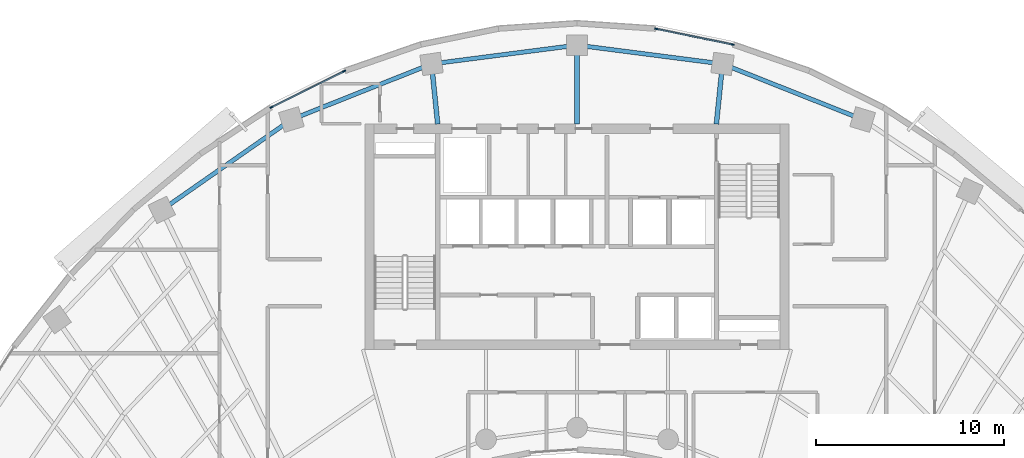
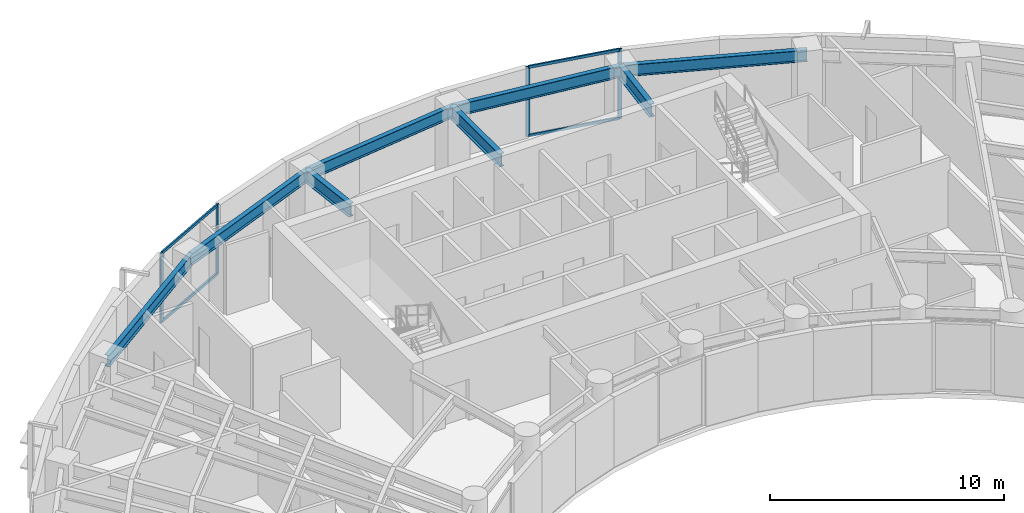
# One storey, part 5 of 13: 8 beams, 8 members, 2 elements without a shape of their own.
"""IFC4 building model written with IfcOpenShell, lengths in metres."""

from ifc_helpers import new_model, si_unit, direction, frame, origin, origin_2d, place, context, subcontext, project, spatial, rectangle, i_section, extrude, source, transform, mapped, material, layer, layer_set, material_profile, profile_set, type_object, element, aggregate, save


model = new_model("IFC4")

# Units and contexts
model_context = context("Model", 3, precision=1e-05, world=origin(), true_north=direction((0.0, 1.0)))
body_context = subcontext(model_context, "Body", "Model", "MODEL_VIEW")
ifc_project = project(units=[si_unit("LENGTHUNIT", "METRE"), si_unit("AREAUNIT", "SQUARE_METRE"), si_unit("VOLUMEUNIT", "CUBIC_METRE"), si_unit("PLANEANGLEUNIT", "RADIAN"), si_unit("MASSUNIT", "GRAM", prefix="KILO")], contexts=[model_context])

# Site, building, storey
site_placement = place(None, origin())
site = spatial("IfcSite", under=ifc_project, at=site_placement, CompositionType="ELEMENT")
building_placement = place(site_placement, origin())
building = spatial("IfcBuilding", under=site, at=building_placement, Name="Breltana Convention Tower", CompositionType="ELEMENT")
storey_placement = place(building_placement, frame((0.0, 0.0, 174.0)))
storey = spatial("IfcBuildingStorey", under=building, at=storey_placement, Name="L42", CompositionType="ELEMENT", Elevation=174.0)

# Beams
ifc_material_1 = material(Name="Steel ASTM A992 Grade 50", Category="steel")
ifc_material_profile_1 = material_profile(ifc_material_1, i_section(OverallWidth=0.25390625, OverallDepth=0.68798828125, WebThickness=0.01318359375, FlangeThickness=0.02099609375, at=origin_2d()), Name="W27X102")
ifc_profile_set_1 = profile_set([ifc_material_profile_1], Name="Steel ASTM A992 Grade 50")
beam_type_1 = type_object("IfcBeamType", Name="BM-RG-W27X102", PredefinedType="USERDEFINED", material=ifc_profile_set_1)
shared_shape_1 = source(origin(), body_context, "Body", "SweptSolid", [
    extrude(i_section(OverallWidth=0.25390625, OverallDepth=0.68798828125, WebThickness=0.01318359375, FlangeThickness=0.02099609375, at=origin_2d()), origin(), (0.0, 0.0, 1.0), 3.220947265625),
])
for number, where, z_axis, x_axis, name in (
    (1, (40.580078125, 72.199951171875, 3.305908203125), (-0.101492254858, 0.994836329355, 0.0), (-0.994836329355, -0.101492254858, 0.0), "L42 North Core Radial Girder R05"),
    (2, (55.419921875, 72.199951171875, 3.305908203125), (0.101492254858, 0.994836329355, 0.0), (-0.994836329355, 0.101492254858, 0.0), "L42 North Core Radial Girder R07"),
):
    element("IfcBeam", number, at=place(storey_placement, frame(where, z_axis=z_axis, x_axis=x_axis)), inside=storey, type_object=beam_type_1, Name=name, ObjectType="GIRDER", PredefinedType="USERDEFINED", context=body_context, shape_type="MappedRepresentation", body=[
        mapped(shared_shape_1, transform((0.0, 0.0, 0.0), scale=1.0)),
    ])
shared_shape_2 = source(origin(), body_context, "Body", "SweptSolid", [
    extrude(i_section(OverallWidth=0.25390625, OverallDepth=0.68798828125, WebThickness=0.01318359375, FlangeThickness=0.02099609375, at=origin_2d()), origin(), (0.0, 0.0, 1.0), 4.2041015625),
])
beam_1_placement = place(storey_placement, frame((48.0, 72.199951171875, 3.305908203125), z_axis=(0.0, 1.0, 0.0), x_axis=(-1.0, 0.0, 0.0)))
element("IfcBeam", 3, at=beam_1_placement, inside=storey, type_object=beam_type_1, Name="L42 North Core Radial Girder R06", ObjectType="GIRDER", PredefinedType="USERDEFINED", context=body_context, shape_type="MappedRepresentation", body=[
    mapped(shared_shape_2, transform((0.0, 0.0, 0.0), scale=1.0)),
])
ifc_material_profile_2 = material_profile(ifc_material_1, i_section(OverallWidth=0.22802734375, OverallDepth=0.60791015625, WebThickness=0.01123046875, FlangeThickness=0.017333984375, at=origin_2d()), Name="W24X76")
ifc_profile_set_2 = profile_set([ifc_material_profile_2], Name="Steel ASTM A992 Grade 50")
beam_type_2 = type_object("IfcBeamType", Name="BM-SP-W24X76", PredefinedType="SPANDREL", material=ifc_profile_set_2)
shared_shape_3 = source(origin(), body_context, "Body", "SweptSolid", [
    extrude(i_section(OverallWidth=0.22802734375, OverallDepth=0.60791015625, WebThickness=0.01123046875, FlangeThickness=0.017333984375, at=origin_2d()), origin(), (0.0, 0.0, 1.0), 8.4169921875),
])
beam_2_placement = place(storey_placement, frame((25.8876953125, 67.626953125, 3.345947265625), z_axis=(0.820173800102, 0.572114444519, 0.0), x_axis=(-0.572114444519, 0.820173800102, 0.0)))
element("IfcBeam", 4, at=beam_2_placement, inside=storey, type_object=beam_type_2, Name="L42 Outer Spandrel Beam 03", PredefinedType="SPANDREL", context=body_context, shape_type="MappedRepresentation", body=[
    mapped(shared_shape_3, transform((0.0, 0.0, 0.0), scale=1.0)),
])
shared_shape_4 = source(origin(), body_context, "Body", "SweptSolid", [
    extrude(i_section(OverallWidth=0.22802734375, OverallDepth=0.60791015625, WebThickness=0.01123046875, FlangeThickness=0.017333984375, at=origin_2d()), origin(), (0.0, 0.0, 1.0), 8.028564453125),
])
for number, where, z_axis, x_axis, name in (
    (5, (32.791015625, 72.4423828125, 3.345947265625), (0.929459100394, 0.368925169507, 0.0), (-0.368925169507, 0.929459100394, 0.0), "L42 Outer Spandrel Beam 04"),
    (6, (55.746826171875, 75.404296875, 3.345947265625), (0.929459100394, -0.368925169507, 0.0), (0.368925169507, 0.929459100394, 0.0), "L42 Outer Spandrel Beam 07"),
):
    element("IfcBeam", number, at=place(storey_placement, frame(where, z_axis=z_axis, x_axis=x_axis)), inside=storey, type_object=beam_type_2, Name=name, PredefinedType="SPANDREL", context=body_context, shape_type="MappedRepresentation", body=[
        mapped(shared_shape_4, transform((0.0, 0.0, 0.0), scale=1.0)),
    ])
shared_shape_5 = source(origin(), body_context, "Body", "SweptSolid", [
    extrude(i_section(OverallWidth=0.22802734375, OverallDepth=0.60791015625, WebThickness=0.01123046875, FlangeThickness=0.017333984375, at=origin_2d()), origin(), (0.0, 0.0, 1.0), 7.81103515625),
])
for number, where, z_axis, x_axis, name in (
    (7, (40.253173828125, 75.404296875, 3.345947265625), (0.991775179127, 0.127992164083, 0.0), (-0.127992164083, 0.991775179127, 0.0), "L42 Outer Spandrel Beam 05"),
    (8, (48.0, 76.404052734375, 3.345947265625), (0.991775179127, -0.127992164083, 0.0), (0.127992164083, 0.991775179127, 0.0), "L42 Outer Spandrel Beam 06"),
):
    element("IfcBeam", number, at=place(storey_placement, frame(where, z_axis=z_axis, x_axis=x_axis)), inside=storey, type_object=beam_type_2, Name=name, PredefinedType="SPANDREL", context=body_context, shape_type="MappedRepresentation", body=[
        mapped(shared_shape_5, transform((0.0, 0.0, 0.0), scale=1.0)),
    ])

# Curtain wall, members
ifc_material_2 = material(Name="Aluminium Anodised Bronze Frame", Category="aluminium")
ifc_layer = layer(ifc_material_2, 0.2099609375, Name="Aluminium Anodised Bronze Frame")
ifc_layer_set = layer_set([ifc_layer], Name="Aluminium Anodised Bronze Frame")
curtain_wall_type = type_object("IfcCurtainWallType", Name="CW-SYS-3", PredefinedType="NOTDEFINED", material=ifc_layer_set)
curtain_wall_1_placement = place(storey_placement, origin())
curtain_wall_1 = element("IfcCurtainWall", 9, at=curtain_wall_1_placement, inside=storey, type_object=curtain_wall_type, Name="L42 outer double-skin inner glazing 2", PredefinedType="NOTDEFINED")
ifc_material_3 = material(Name="Aluminium Anodised Bronze", Category="aluminium")
ifc_material_profile_3 = material_profile(ifc_material_3, rectangle(XDim=0.070068359375, YDim=0.175048828125, at=origin_2d()), Name="CWM-70X175")
ifc_profile_set_3 = profile_set([ifc_material_profile_3], Name="Aluminium Anodised Bronze")
member_type_1 = type_object("IfcMemberType", Name="CWM-175", PredefinedType="MULLION", material=ifc_profile_set_3)
shared_shape_6 = source(origin(), body_context, "Body", "SweptSolid", [
    extrude(rectangle(XDim=0.070068359375, YDim=0.175048828125, at=origin_2d()), origin(), (0.0, 0.0, 1.0), 3.64990234375),
])
member_1_placement = place(storey_placement, frame((31.733154296875, 73.095458984375, 0.0), z_axis=(0.0, 0.0, 1.0), x_axis=(-0.444117835682, 0.895968385619, 0.0)))
member_1 = element("IfcMember", 10, at=member_1_placement, type_object=member_type_1, Name="CW-03 mullion 1", PredefinedType="MULLION", context=body_context, shape_type="MappedRepresentation", body=[
    mapped(shared_shape_6, transform((0.0, 0.0, 0.0), scale=1.0)),
])
member_2_placement = place(storey_placement, frame((35.59814453125, 75.011474609375, 0.0), z_axis=(0.0, 0.0, 1.0), x_axis=(-0.444117835682, 0.895968385619, 0.0)))
member_2 = element("IfcMember", 11, at=member_2_placement, type_object=member_type_1, Name="CW-03 mullion 2", PredefinedType="MULLION", context=body_context, shape_type="MappedRepresentation", body=[
    mapped(shared_shape_6, transform((0.0, 0.0, 0.0), scale=1.0)),
])

curtain_wall_2_placement = place(storey_placement, origin())
curtain_wall_2 = element("IfcCurtainWall", 12, at=curtain_wall_2_placement, inside=storey, type_object=curtain_wall_type, Name="L42 outer double-skin inner glazing 3", PredefinedType="NOTDEFINED")
member_3_placement = place(storey_placement, frame((52.2138671875, 77.272705078125, 0.0), z_axis=(0.0, 0.0, 1.0), x_axis=(0.200876562668, 0.979616560993, 0.0)))
member_3 = element("IfcMember", 13, at=member_3_placement, type_object=member_type_1, Name="CW-03 mullion 1", PredefinedType="MULLION", context=body_context, shape_type="MappedRepresentation", body=[
    mapped(shared_shape_6, transform((0.0, 0.0, 0.0), scale=1.0)),
])
member_4_placement = place(storey_placement, frame((56.28271484375, 76.4384765625, 0.0), z_axis=(0.0, 0.0, 1.0), x_axis=(0.200876562668, 0.979616560993, 0.0)))
member_4 = element("IfcMember", 14, at=member_4_placement, type_object=member_type_1, Name="CW-03 mullion 2", PredefinedType="MULLION", context=body_context, shape_type="MappedRepresentation", body=[
    mapped(shared_shape_6, transform((0.0, 0.0, 0.0), scale=1.0)),
])

# Member
ifc_material_profile_4 = material_profile(ifc_material_3, rectangle(XDim=0.080078125, YDim=0.139892578125, at=origin_2d()), Name="CWT-80X140")
ifc_profile_set_4 = profile_set([ifc_material_profile_4], Name="Aluminium Anodised Bronze")
member_type_2 = type_object("IfcMemberType", Name="CWT-140", PredefinedType="USERDEFINED", material=ifc_profile_set_4)
shared_shape_7 = source(origin(), body_context, "Body", "SweptSolid", [
    extrude(rectangle(XDim=0.080078125, YDim=0.139892578125, at=origin_2d()), origin(), (0.0, 0.0, 1.0), 4.243896484375),
])
member_5_placement = place(storey_placement, frame((31.764404296875, 73.111083984375, 0.0400390625), z_axis=(0.895975011629, 0.444104468043, 0.0), x_axis=(-0.444104468043, 0.895975011629, 0.0)))
member_5 = element("IfcMember", 15, at=member_5_placement, type_object=member_type_2, Name="CW-03 transom 1.1", ObjectType="TRANSOM", PredefinedType="USERDEFINED", context=body_context, shape_type="MappedRepresentation", body=[
    mapped(shared_shape_7, transform((0.0, 0.0, 0.0), scale=1.0)),
])

member_6_placement = place(storey_placement, frame((31.764404296875, 73.111083984375, 3.610107421875), z_axis=(0.895975011629, 0.444104468043, 0.0), x_axis=(-0.444104468043, 0.895975011629, 0.0)))
member_6 = element("IfcMember", 16, at=member_6_placement, type_object=member_type_2, Name="CW-03 transom 1.2", ObjectType="TRANSOM", PredefinedType="USERDEFINED", context=body_context, shape_type="MappedRepresentation", body=[
    mapped(shared_shape_7, transform((0.0, 0.0, 0.0), scale=1.0)),
])

aggregate(curtain_wall_1, [member_1, member_2, member_5, member_6])

shared_shape_8 = source(origin(), body_context, "Body", "SweptSolid", [
    extrude(rectangle(XDim=0.080078125, YDim=0.139892578125, at=origin_2d()), origin(), (0.0, 0.0, 1.0), 4.08349609375),
])
member_7_placement = place(storey_placement, frame((52.248291015625, 77.265625, 0.0400390625), z_axis=(0.979626533509, -0.20082792347, 0.0), x_axis=(0.20082792347, 0.979626533509, 0.0)))
member_7 = element("IfcMember", 17, at=member_7_placement, type_object=member_type_2, Name="CW-03 transom 1.1", ObjectType="TRANSOM", PredefinedType="USERDEFINED", context=body_context, shape_type="MappedRepresentation", body=[
    mapped(shared_shape_8, transform((0.0, 0.0, 0.0), scale=1.0)),
])

member_8_placement = place(storey_placement, frame((52.248291015625, 77.265625, 3.610107421875), z_axis=(0.979626533509, -0.20082792347, 0.0), x_axis=(0.20082792347, 0.979626533509, 0.0)))
member_8 = element("IfcMember", 18, at=member_8_placement, type_object=member_type_2, Name="CW-03 transom 1.2", ObjectType="TRANSOM", PredefinedType="USERDEFINED", context=body_context, shape_type="MappedRepresentation", body=[
    mapped(shared_shape_8, transform((0.0, 0.0, 0.0), scale=1.0)),
])

aggregate(curtain_wall_2, [member_3, member_4, member_7, member_8])

save(model, "model.ifc")
